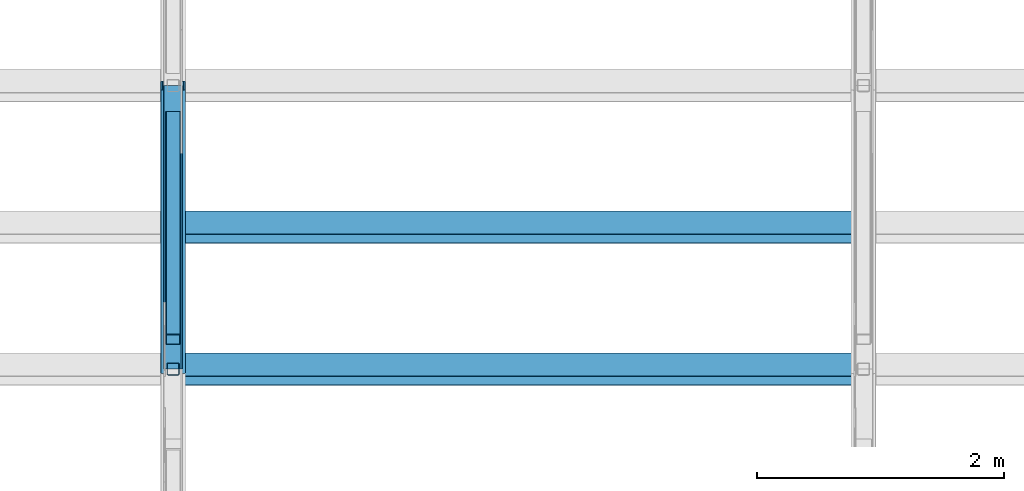
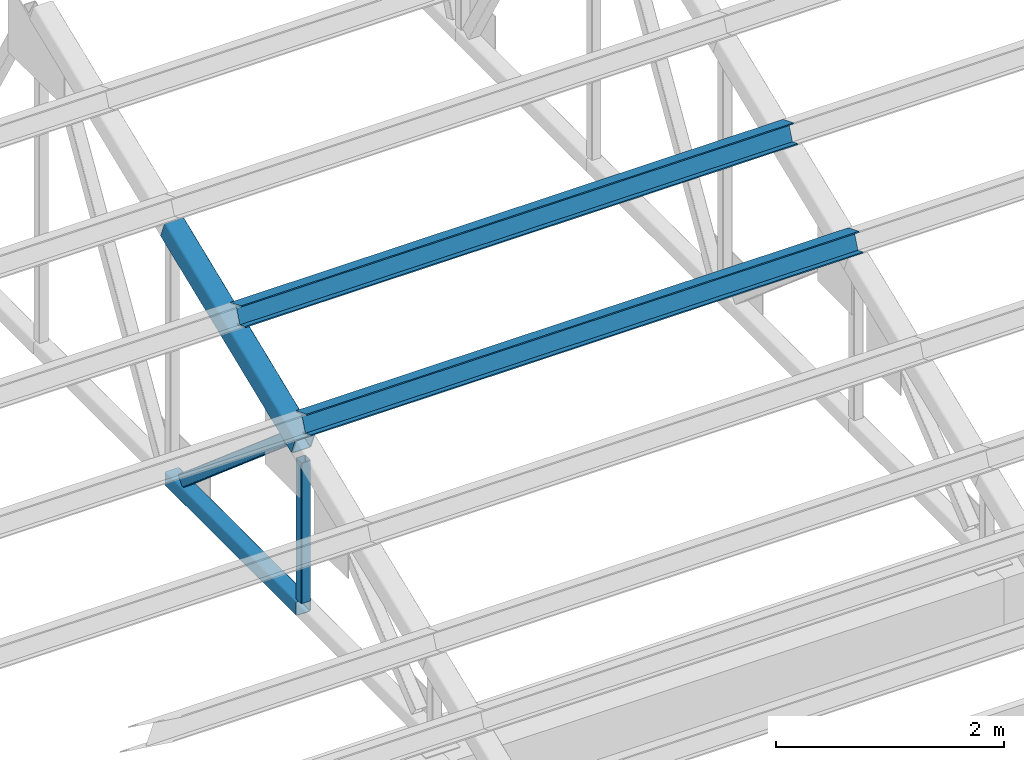
# One storey, part 7 of 71: 6 members.
"""IFC4 building model written with IfcOpenShell, lengths in metres."""

from ifc_helpers import new_model, si_unit, direction, frame, origin, origin_2d, place, context, subcontext, project, spatial, hollow_rectangle, i_section, extrude, material, material_profile, profile_set, type_object, element, save


model = new_model("IFC4")

# Units and contexts
model_context = context("Model", 3, precision=1e-05, world=origin(), true_north=direction((0.0, 1.0)))
body_context = subcontext(model_context, "Body", "Model", "MODEL_VIEW")
ifc_project = project(units=[si_unit("LENGTHUNIT", "METRE"), si_unit("AREAUNIT", "SQUARE_METRE"), si_unit("VOLUMEUNIT", "CUBIC_METRE"), si_unit("PLANEANGLEUNIT", "RADIAN"), si_unit("MASSUNIT", "GRAM", prefix="KILO")], contexts=[model_context])

# Site, building, storey
site_placement = place(None, origin())
site = spatial("IfcSite", under=ifc_project, at=site_placement, CompositionType="ELEMENT")
building_placement = place(site_placement, origin())
building = spatial("IfcBuilding", under=site, at=building_placement, Name="Wasatch Bagh Community Centre", CompositionType="ELEMENT")
storey_placement = place(building_placement, frame((0.0, 0.0, 12.60009765625)))
storey = spatial("IfcBuildingStorey", under=building, at=storey_placement, Name="L03", CompositionType="ELEMENT", Elevation=12.60009765625)

# Members
ifc_material_1 = material(Name="ASTM A500 Grade C steel", Category="steel")
ifc_material_profile_1 = material_profile(ifc_material_1, hollow_rectangle(XDim=0.1015625, YDim=0.1015625, WallThickness=0.005859375, InnerFilletRadius=0.005859375, OuterFilletRadius=0.01171875, at=origin_2d()), Name="HSS4x4x1/4")
ifc_profile_set_1 = profile_set([ifc_material_profile_1], Name="ASTM A500 Grade C steel")
member_type_1 = type_object("IfcMemberType", Name="SH HSS4x4x1/4 post", PredefinedType="POST", material=ifc_profile_set_1)
member_1_placement = place(storey_placement, frame((129.0, 40.5, 0.76220703125), z_axis=(0.0, 0.0, 1.0), x_axis=(1.0, 0.0, 0.0)))
element("IfcMember", 1, at=member_1_placement, inside=storey, type_object=member_type_1, Name="SH.SA4.PS02", PredefinedType="POST", context=body_context, shape_type="SweptSolid", body=[
    extrude(hollow_rectangle(XDim=0.1015625, YDim=0.1015625, WallThickness=0.005859375, InnerFilletRadius=0.005859375, OuterFilletRadius=0.01171875, at=origin_2d()), origin(), (0.0, 0.0, 1.0), 1.504638671875),
])
ifc_material_profile_2 = material_profile(ifc_material_1, hollow_rectangle(XDim=0.126953125, YDim=0.126953125, WallThickness=0.00732421875, InnerFilletRadius=0.00732421875, OuterFilletRadius=0.0146484375, at=origin_2d()), Name="HSS5x5x5/16")
ifc_profile_set_2 = profile_set([ifc_material_profile_2], Name="ASTM A500 Grade C steel")
member_type_2 = type_object("IfcMemberType", Name="SH HSS5x5x5/16 brace", PredefinedType="BRACE", material=ifc_profile_set_2)
member_2_placement = place(storey_placement, frame((129.0, 42.5498046875, 0.81103515625), z_axis=(0.0, -0.760719100191, 0.649081235751), x_axis=(1.0, 0.0, 0.0)))
element("IfcMember", 2, at=member_2_placement, inside=storey, type_object=member_type_2, Name="SH.SA4.WB02", PredefinedType="BRACE", context=body_context, shape_type="SweptSolid", body=[
    extrude(hollow_rectangle(XDim=0.126953125, YDim=0.126953125, WallThickness=0.00732421875, InnerFilletRadius=0.00732421875, OuterFilletRadius=0.0146484375, at=origin_2d()), origin(), (0.0, 0.0, 1.0), 2.377197265625),
])
ifc_material_profile_3 = material_profile(ifc_material_1, hollow_rectangle(XDim=0.15234375, YDim=0.15234375, WallThickness=0.0087890625, InnerFilletRadius=0.0087890625, OuterFilletRadius=0.017822265625, at=origin_2d()), Name="HSS6x6x3/8")
ifc_profile_set_3 = profile_set([ifc_material_profile_3], Name="ASTM A500 Grade C steel")
member_type_3 = type_object("IfcMemberType", Name="SH HSS6x6x3/8 chord", PredefinedType="CHORD", material=ifc_profile_set_3)
member_3_placement = place(storey_placement, frame((129.0, 40.5, 0.68603515625), z_axis=(0.0, 1.0, 0.0), x_axis=(-1.0, 0.0, 0.0)))
element("IfcMember", 3, at=member_3_placement, inside=storey, type_object=member_type_3, Name="SH.SA4.BC02", PredefinedType="CHORD", context=body_context, shape_type="SweptSolid", body=[
    extrude(hollow_rectangle(XDim=0.15234375, YDim=0.15234375, WallThickness=0.0087890625, InnerFilletRadius=0.0087890625, OuterFilletRadius=0.017822265625, at=origin_2d()), origin(), (0.0, 0.0, 1.0), 2.300048828125),
])
ifc_material_profile_4 = material_profile(ifc_material_1, hollow_rectangle(XDim=0.203125, YDim=0.203125, WallThickness=0.01171875, InnerFilletRadius=0.01171875, OuterFilletRadius=0.023681640625, at=origin_2d()), Name="HSS8x8x1/2")
ifc_profile_set_4 = profile_set([ifc_material_profile_4], Name="ASTM A500 Grade C steel")
member_type_4 = type_object("IfcMemberType", Name="SH HSS8x8x1/2 chord", PredefinedType="CHORD", material=ifc_profile_set_4)
member_4_placement = place(storey_placement, frame((129.0, 40.50048828125, 2.4296875), z_axis=(0.0, 0.927174106992, 0.374630718605), x_axis=(-1.0, 0.0, 0.0)))
element("IfcMember", 4, at=member_4_placement, inside=storey, type_object=member_type_4, Name="SH.SA4.TC03", PredefinedType="CHORD", context=body_context, shape_type="SweptSolid", body=[
    extrude(hollow_rectangle(XDim=0.203125, YDim=0.203125, WallThickness=0.01171875, InnerFilletRadius=0.01171875, OuterFilletRadius=0.023681640625, at=origin_2d()), origin(), (0.0, 0.0, 1.0), 2.479736328125),
])
ifc_material_2 = material(Name="ASTM A992 Grade 50 steel", Category="steel")
ifc_material_profile_5 = material_profile(ifc_material_2, i_section(OverallWidth=0.203125, OverallDepth=0.203125, WebThickness=0.00732421875, FlangeThickness=0.010986328125, at=origin_2d()), Name="W8x31")
ifc_profile_set_5 = profile_set([ifc_material_profile_5], Name="ASTM A992 Grade 50 steel")
member_type_5 = type_object("IfcMemberType", Name="SH W8x31 purlin", PredefinedType="PURLIN", material=ifc_profile_set_5)
for number, where, z_axis, x_axis, name in (
    (5, (129.0, 40.5, 2.648681640625), (1.0, 0.0, 0.0), (0.0, 0.927183854567, -0.374606593416), "SH.PUR.b4.PU06"),
    (6, (129.0, 41.64990234375, 3.11328125), (1.0, 0.0, 0.0), (0.0, 0.927183854567, -0.374606593416), "SH.PUR.b4.PU07"),
):
    element("IfcMember", number, at=place(storey_placement, frame(where, z_axis=z_axis, x_axis=x_axis)), inside=storey, type_object=member_type_5, Name=name, PredefinedType="PURLIN", context=body_context, shape_type="SweptSolid", body=[
        extrude(i_section(OverallWidth=0.203125, OverallDepth=0.203125, WebThickness=0.00732421875, FlangeThickness=0.010986328125, at=origin_2d()), origin(), (0.0, 0.0, 1.0), 5.60009765625),
    ])

save(model, "model.ifc")
